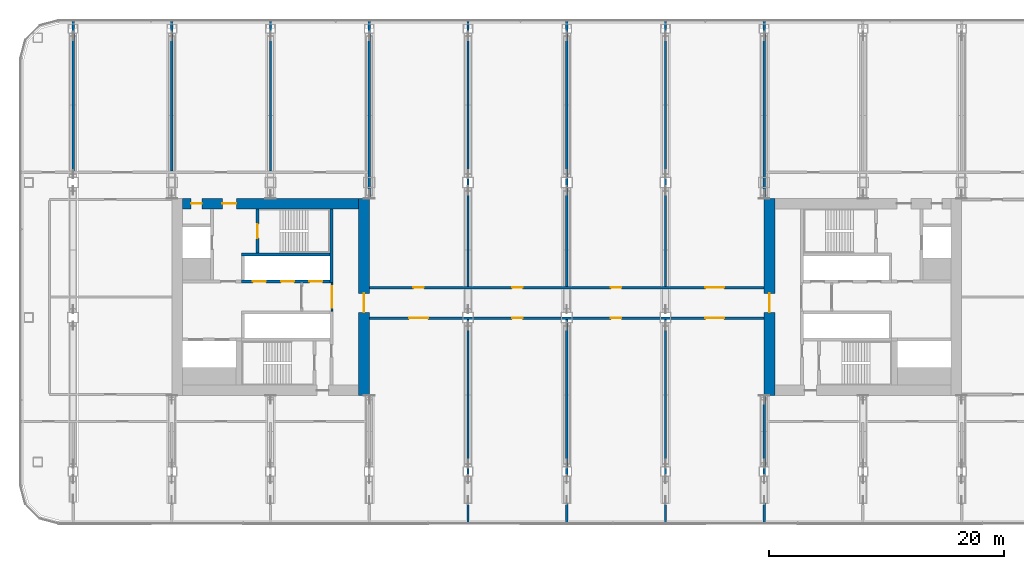
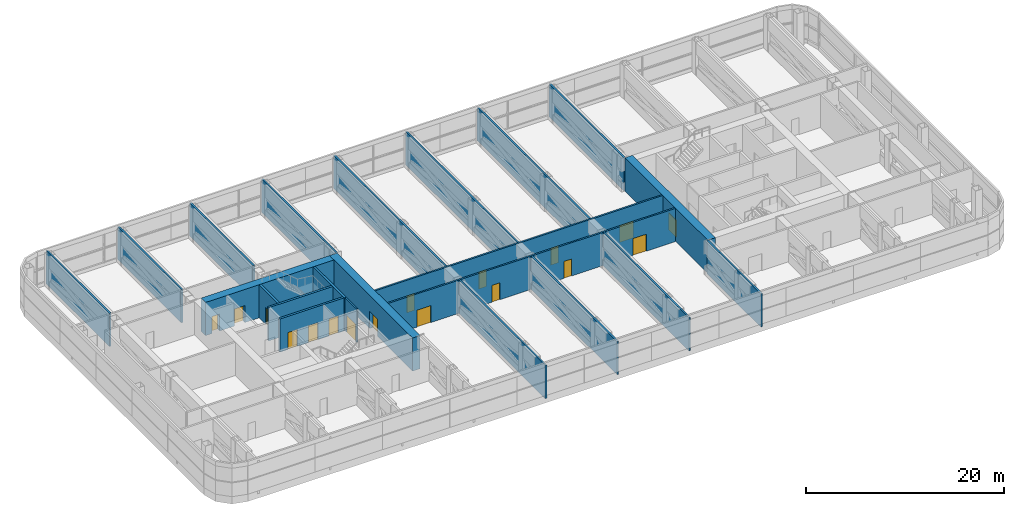
# One storey, part 19 of 31: 22 walls, 17 doors, 17 openings.
"""IFC4 building model written with IfcOpenShell, lengths in metres."""

import ifcopenshell
import ifcopenshell.guid

model = None  # the IFC model being written
_history = None  # IfcOwnerHistory: only IFC2X3 demands one
_inside = {}  # id of a spatial element -> (the spatial element, [elements in it])
_under = {}  # id of a project, library or spatial element -> (it, [spatial elements below it])
_declared = {}  # id of a project -> (the project, [libraries it declares])
_typed = {}  # id of a type object -> (the type object, [elements of that type])
_made_of = {}  # id of a material, layer set ... -> (it, [elements and type objects made of it])


def new_model(schema):
    """Start an empty IFC model of exactly this schema.

    Asked for "IFC4X3", IfcOpenShell would pick the latest addendum, in which some entities
    have other attributes; the version numbers below select the first issue.
    IFC2X3 requires an IfcOwnerHistory on every rooted entity: one is made here for all.
    """
    global model, _history
    if schema == "IFC4X3":
        model = ifcopenshell.file(schema_version=(4, 3, 0, 0))
    else:
        model = ifcopenshell.file(schema=schema)
    _inside.clear()
    _under.clear()
    _declared.clear()
    _typed.clear()
    _made_of.clear()
    _history = None
    if model.schema == "IFC2X3":
        org = make("IfcOrganization", Name="unknown")
        user = make(
            "IfcPersonAndOrganization",
            ThePerson=make("IfcPerson", FamilyName="unknown"),
            TheOrganization=org,
        )
        app = make(
            "IfcApplication",
            ApplicationDeveloper=org,
            Version="unknown",
            ApplicationFullName="unknown",
            ApplicationIdentifier="unknown",
        )
        _history = make(
            "IfcOwnerHistory",
            OwningUser=user,
            OwningApplication=app,
            ChangeAction="ADDED",
            CreationDate=0,
        )
    return model


def make(cls, **values):
    """One entity of the class cls with the attributes given. An attribute that is None is left unset."""
    return model.create_entity(
        cls, **{name: value for name, value in values.items() if value is not None}
    )


def rooted(cls, **values):
    """An entity with a GlobalId (a new one), such as an element, a storey or a relation."""
    return make(cls, GlobalId=ifcopenshell.guid.new(), OwnerHistory=_history, **values)


def si_unit(unit_type, name, prefix=None):
    """IfcSIUnit, for example si_unit("LENGTHUNIT", "METRE", prefix="MILLI")."""
    return make("IfcSIUnit", UnitType=unit_type, Prefix=prefix, Name=name)


def assignment(units):
    """IfcUnitAssignment: the units of a project."""
    return None if units is None else make("IfcUnitAssignment", Units=units)


def point(xyz):
    """IfcCartesianPoint."""
    return None if xyz is None else make("IfcCartesianPoint", Coordinates=xyz)


def direction(xyz):
    """IfcDirection."""
    return None if xyz is None else make("IfcDirection", DirectionRatios=xyz)


def frame(location, z_axis=None, x_axis=None):
    """IfcAxis2Placement3D, a coordinate frame: its origin and axes. An axis left out is left unset."""
    return make(
        "IfcAxis2Placement3D",
        Location=point(location),
        Axis=direction(z_axis),
        RefDirection=direction(x_axis),
    )


def frame_2d(location, x_axis=None):
    """IfcAxis2Placement2D, a coordinate frame in the plane: its origin and x axis."""
    return make(
        "IfcAxis2Placement2D", Location=point(location), RefDirection=direction(x_axis)
    )


def origin():
    """The frame at (0, 0, 0) with its axes left unset."""
    return frame((0.0, 0.0, 0.0))


def place(relative_to, where):
    """IfcLocalPlacement: puts the frame where relative to a parent placement (None: the world)."""
    return make(
        "IfcLocalPlacement", PlacementRelTo=relative_to, RelativePlacement=where
    )


def context(
    kind, dimensions, precision=None, world=None, true_north=None, identifier=None
):
    """IfcGeometricRepresentationContext, for example the 3D "Model" context."""
    return make(
        "IfcGeometricRepresentationContext",
        ContextIdentifier=identifier,
        ContextType=kind,
        CoordinateSpaceDimension=dimensions,
        Precision=precision,
        WorldCoordinateSystem=world,
        TrueNorth=true_north,
    )


def subcontext(parent, identifier, kind, view, scale=None):
    """IfcGeometricRepresentationSubContext, for example "Body" below "Model"."""
    return make(
        "IfcGeometricRepresentationSubContext",
        ContextIdentifier=identifier,
        ContextType=kind,
        ParentContext=parent,
        TargetScale=scale,
        TargetView=view,
    )


def project(units=None, contexts=None):
    """IfcProject with its units and contexts."""
    return rooted(
        "IfcProject",
        Name="project",
        RepresentationContexts=contexts,
        UnitsInContext=assignment(units),
    )


def spatial(cls, under=None, at=None, **own):
    """A site, building, storey or space (cls), placed at a placement, below another one or the project."""
    s = rooted(cls, ObjectPlacement=at, **own)
    if under is not None:
        _under.setdefault(under.id(), (under, []))[1].append(s)
    return s


def profile(cls, at=None, kind="AREA", **sizes):
    """A parametric profile (cls). Its sizes go by their IFC names, for example OverallWidth=200.0."""
    return make(cls, ProfileType=kind, Position=at, **sizes)


def rectangle(**sizes):
    """IfcRectangleProfileDef."""
    return profile("IfcRectangleProfileDef", **sizes)


def extrude(swept, where, along, depth):
    """IfcExtrudedAreaSolid: the profile swept, set in the frame where, extruded along a direction by depth."""
    return make(
        "IfcExtrudedAreaSolid",
        SweptArea=swept,
        Position=where,
        ExtrudedDirection=direction(along),
        Depth=depth,
    )


def shape(context_of_items, identifier, shape_type, items):
    """IfcShapeRepresentation: the items that make up one representation, for example the "Body"."""
    return make(
        "IfcShapeRepresentation",
        ContextOfItems=context_of_items,
        RepresentationIdentifier=identifier,
        RepresentationType=shape_type,
        Items=items,
    )


def material(Name=None, Category=None):
    """IfcMaterial."""
    return make("IfcMaterial", Name=Name, Category=Category)


def layer(
    of_material, thickness, ventilated=None, Name=None, Category=None, Priority=None
):
    """IfcMaterialLayer: one layer of a wall or slab, of a material (None: an air gap)."""
    return make(
        "IfcMaterialLayer",
        Material=of_material,
        LayerThickness=thickness,
        IsVentilated=ventilated,
        Name=Name,
        Category=Category,
        Priority=Priority,
    )


def layer_set(layers, Name=None):
    """IfcMaterialLayerSet."""
    return make("IfcMaterialLayerSet", MaterialLayers=layers, LayerSetName=Name)


def made_of(thing, what):
    """Note that an element or type object is made of a material, layer set ...; save() writes the relation."""
    if what is not None:
        _made_of.setdefault(what.id(), (what, []))[1].append(thing)
    return thing


def type_object(cls, material=None, **own):
    """A type object (cls), such as IfcWallType, which elements share."""
    return made_of(rooted(cls, **own), material)


def element(
    cls,
    number,
    at=None,
    inside=None,
    cuts=None,
    type_object=None,
    material=None,
    context=None,
    identifier="Body",
    shape_type=None,
    held_by="IfcProductDefinitionShape",
    body=None,
    shapes=None,
    **own,
):
    """One element of the class cls, such as IfcWall. Its Tag is "e" and its number.

    at: its placement. inside: the storey or other place that contains it. cuts: it is an
    opening in that element (IfcRelVoidsElement). A single representation is given by context,
    identifier, shape_type and body (its items); several are given by shapes. held_by: the class
    of the entity that holds the representations. save() writes the other relations.
    """
    e = rooted(cls, Tag="e%d" % number, ObjectPlacement=at, **own)
    if body is not None:
        shapes = [shape(context, identifier, shape_type, body)]
    if shapes is not None:
        e.Representation = make(held_by, Representations=shapes)
    if inside is not None:
        _inside.setdefault(inside.id(), (inside, []))[1].append(e)
    if cuts is not None:
        rooted(
            "IfcRelVoidsElement", RelatingBuildingElement=cuts, RelatedOpeningElement=e
        )
    if type_object is not None:
        _typed.setdefault(type_object.id(), (type_object, []))[1].append(e)
    return made_of(e, material)


def fill(opening, filler):
    """IfcRelFillsElement: the door or window that sits in an opening."""
    return rooted(
        "IfcRelFillsElement",
        RelatingOpeningElement=opening,
        RelatedBuildingElement=filler,
    )


def aggregate(whole, parts):
    """IfcRelAggregates: a whole, such as a stair, and the parts it consists of."""
    return rooted("IfcRelAggregates", RelatingObject=whole, RelatedObjects=parts)


def save(model, path):
    """Write the relations noted so far, then the file.

    IfcRelAggregates (storeys below a building ...), IfcRelContainedInSpatialStructure (elements
    in a storey), IfcRelDefinesByType, IfcRelAssociatesMaterial and IfcRelDeclares: one each for
    every whole, place, type object, material and project.
    """
    for whole, parts in _under.values():
        aggregate(whole, parts)
    for where, things in _inside.values():
        rooted(
            "IfcRelContainedInSpatialStructure",
            RelatedElements=things,
            RelatingStructure=where,
        )
    for kind, things in _typed.values():
        rooted("IfcRelDefinesByType", RelatedObjects=things, RelatingType=kind)
    for what, things in _made_of.values():
        rooted("IfcRelAssociatesMaterial", RelatedObjects=things, RelatingMaterial=what)
    for by, libraries in _declared.values():
        rooted("IfcRelDeclares", RelatingContext=by, RelatedDefinitions=libraries)
    model.write(path)


model = new_model("IFC4")

# Units and contexts
model_context = context("Model", 3, precision=1e-05, world=origin(), true_north=direction((0.0, 1.0)))
body_context = subcontext(model_context, "Body", "Model", "MODEL_VIEW")
ifc_project = project(units=[si_unit("LENGTHUNIT", "METRE"), si_unit("AREAUNIT", "SQUARE_METRE"), si_unit("VOLUMEUNIT", "CUBIC_METRE"), si_unit("PLANEANGLEUNIT", "RADIAN"), si_unit("MASSUNIT", "GRAM", prefix="KILO")], contexts=[model_context])

# Site, building, storey
site_placement = place(None, origin())
site = spatial("IfcSite", under=ifc_project, at=site_placement, CompositionType="ELEMENT")
building_placement = place(site_placement, origin())
building = spatial("IfcBuilding", under=site, at=building_placement, Name="Hakoniwa Tower and Hamabe Station Hall", CompositionType="ELEMENT")
storey_placement = place(building_placement, frame((0.0, 0.0, 120.199951171875)))
storey = spatial("IfcBuildingStorey", under=building, at=storey_placement, Name="L34", CompositionType="ELEMENT", Elevation=120.199951171875)

# Wall, opening, door
ifc_material_1 = material(Name="Gypsum board partition")
ifc_layer_1 = layer(ifc_material_1, 0.14990234375)
ifc_layer_set_1 = layer_set([ifc_layer_1], Name="CORE PARTITION 150 EI 60")
wall_type_1 = type_object("IfcWallType", Name="CORE PARTITION 150 EI 60", PredefinedType="PARTITIONING", material=ifc_layer_set_1)
wall_1_placement = place(storey_placement, frame((-19.97509765625, -1.199951171875, 0.0), z_axis=(0.0, 0.0, 1.0), x_axis=(0.0, 1.0, 0.0)))
wall_1 = element("IfcWall", 1, at=wall_1_placement, inside=storey, type_object=wall_type_1, Name="Core partition PL0 west", PredefinedType="PARTITIONING", context=body_context, shape_type="SweptSolid", body=[
    extrude(rectangle(XDim=2.39990234375, YDim=0.14990234375, at=frame_2d((1.199951171875, 0.0))), origin(), (0.0, 0.0, 1.0), 4.10009765625),
])
opening_1_placement = place(wall_1_placement, frame((0.300048828125, 0.0, 0.0)))
opening_1 = element("IfcOpeningElement", 2, at=opening_1_placement, cuts=wall_1, Name="Opening CD-W-LP0-18", PredefinedType="OPENING", context=body_context, shape_type="SweptSolid", body=[
    extrude(rectangle(XDim=1.800048828125, YDim=2.10009765625, at=frame_2d((0.89990234375, 1.050048828125))), frame((0.0, 0.0849609375, 0.0), z_axis=(0.0, -1.0, 0.0), x_axis=(1.0, 0.0, 0.0)), (0.0, 0.0, 1.0), 0.169921875),
])
ifc_material_2 = material(Name="Steel fire door", Category="steel")
door_type_1 = type_object("IfcDoorType", Name="CORE DOOR 1800 FD60", OperationType="DOUBLE_DOOR_SINGLE_SWING", PredefinedType="DOOR", material=ifc_material_2)
door_1_placement = place(opening_1_placement, origin())
door_1 = element("IfcDoor", 3, at=door_1_placement, inside=storey, type_object=door_type_1, Name="Lift lobby partition door", OperationType="DOUBLE_DOOR_SINGLE_SWING", OverallHeight=2.10009765625, OverallWidth=1.800048828125, PredefinedType="DOOR", context=body_context, shape_type="SweptSolid", body=[
    extrude(rectangle(XDim=1.800048828125, YDim=2.10009765625, at=frame_2d((0.89990234375, 1.050048828125))), frame((0.0, 0.02490234375, 0.0), z_axis=(0.0, -1.0, 0.0), x_axis=(1.0, 0.0, 0.0)), (0.0, 0.0, 1.0), 0.050048828125),
])
fill(opening_1, door_1)

ifc_material_3 = material(Name="Concrete C72", Category="concrete")
ifc_layer_2 = layer(ifc_material_3, 0.89990234375)
ifc_layer_set_2 = layer_set([ifc_layer_2], Name="CORE WALL 900 C72")
wall_type_2 = type_object("IfcWallType", Name="CORE WALL 900 C72", PredefinedType="SHEAR", material=ifc_layer_set_2)
wall_2_placement = place(storey_placement, frame((-17.25, -8.39990234375, 0.0), z_axis=(0.0, 0.0, 1.0), x_axis=(0.0, 1.0, 0.0)))
wall_2 = element("IfcWall", 4, at=wall_2_placement, inside=storey, type_object=wall_type_2, Name="Core wall INNER west", PredefinedType="SHEAR", context=body_context, shape_type="SweptSolid", body=[
    extrude(rectangle(XDim=16.7998046875, YDim=0.89990234375, at=frame_2d((8.39990234375, 0.0))), origin(), (0.0, 0.0, 1.0), 4.10009765625),
])
opening_2_placement = place(wall_2_placement, frame((7.10009765625, 0.0, 0.0)))
opening_2 = element("IfcOpeningElement", 5, at=opening_2_placement, cuts=wall_2, Name="Opening CD-W-IN1-16", PredefinedType="OPENING", context=body_context, shape_type="SweptSolid", body=[
    extrude(rectangle(XDim=1.60009765625, YDim=2.10009765625, at=frame_2d((0.800048828125, 1.050048828125))), frame((0.0, 0.4599609375, 0.0), z_axis=(0.0, -1.0, 0.0), x_axis=(1.0, 0.0, 0.0)), (0.0, 0.0, 1.0), 0.919921875),
])
ifc_material_4 = material(Name="Steel fire door", Category="steel")
door_type_2 = type_object("IfcDoorType", Name="CORE DOOR 1600 FD60", OperationType="DOUBLE_DOOR_SINGLE_SWING", PredefinedType="DOOR", material=ifc_material_4)
door_2_placement = place(opening_2_placement, origin())
door_2 = element("IfcDoor", 6, at=door_2_placement, inside=storey, type_object=door_type_2, Name="Lift lobby door", OperationType="DOUBLE_DOOR_SINGLE_SWING", OverallHeight=2.10009765625, OverallWidth=1.60009765625, PredefinedType="DOOR", context=body_context, shape_type="SweptSolid", body=[
    extrude(rectangle(XDim=1.60009765625, YDim=2.10009765625, at=frame_2d((0.800048828125, 1.050048828125))), frame((0.0, 0.02490234375, 0.0), z_axis=(0.0, -1.0, 0.0), x_axis=(1.0, 0.0, 0.0)), (0.0, 0.0, 1.0), 0.050048828125),
])
fill(opening_2, door_2)

# Wall, openings, doors
wall_3_placement = place(storey_placement, frame((-32.699951171875, 7.949951171875, 0.0), z_axis=(0.0, 0.0, 1.0), x_axis=(1.0, 0.0, 0.0)))
wall_3 = element("IfcWall", 7, at=wall_3_placement, inside=storey, type_object=wall_type_2, Name="Core wall NORTH west", PredefinedType="SHEAR", context=body_context, shape_type="SweptSolid", body=[
    extrude(rectangle(XDim=15.0, YDim=0.89990234375, at=frame_2d((7.5, 0.0))), origin(), (0.0, 0.0, 1.0), 4.10009765625),
])
opening_3_placement = place(wall_3_placement, frame((3.39990234375, 0.0, 0.0)))
opening_3 = element("IfcOpeningElement", 8, at=opening_3_placement, cuts=wall_3, Name="Opening CD-W-FN1-12", PredefinedType="OPENING", context=body_context, shape_type="SweptSolid", body=[
    extrude(rectangle(XDim=1.199951171875, YDim=2.10009765625, at=frame_2d((0.60009765625, 1.050048828125))), frame((0.0, 0.4599609375, 0.0), z_axis=(0.0, -1.0, 0.0), x_axis=(1.0, 0.0, 0.0)), (0.0, 0.0, 1.0), 0.919921875),
])
opening_4_placement = place(wall_3_placement, frame((0.75, 0.0, 0.0)))
opening_4 = element("IfcOpeningElement", 9, at=opening_4_placement, cuts=wall_3, Name="Opening CD-W-FN2-9", PredefinedType="OPENING", context=body_context, shape_type="SweptSolid", body=[
    extrude(rectangle(XDim=0.89990234375, YDim=2.10009765625, at=frame_2d((0.449951171875, 1.050048828125))), frame((0.0, 0.4599609375, 0.0), z_axis=(0.0, -1.0, 0.0), x_axis=(1.0, 0.0, 0.0)), (0.0, 0.0, 1.0), 0.919921875),
])
ifc_material_5 = material(Name="Steel fire door", Category="steel")
door_type_3 = type_object("IfcDoorType", Name="CORE DOOR 1200 FD60", OperationType="DOUBLE_DOOR_SINGLE_SWING", PredefinedType="DOOR", material=ifc_material_5)
door_3_placement = place(opening_3_placement, origin())
door_3 = element("IfcDoor", 10, at=door_3_placement, inside=storey, type_object=door_type_3, Name="Stair vestibule door to the fire-fighting lobby", OperationType="DOUBLE_DOOR_SINGLE_SWING", OverallHeight=2.10009765625, OverallWidth=1.199951171875, PredefinedType="DOOR", context=body_context, shape_type="SweptSolid", body=[
    extrude(rectangle(XDim=1.199951171875, YDim=2.10009765625, at=frame_2d((0.60009765625, 1.050048828125))), frame((0.0, 0.02490234375, 0.0), z_axis=(0.0, -1.0, 0.0), x_axis=(1.0, 0.0, 0.0)), (0.0, 0.0, 1.0), 0.050048828125),
])
fill(opening_3, door_3)
ifc_material_6 = material(Name="Steel fire door", Category="steel")
door_type_4 = type_object("IfcDoorType", Name="CORE DOOR 900 FD30", OperationType="NOTDEFINED", PredefinedType="DOOR", material=ifc_material_6)
door_4_placement = place(opening_4_placement, origin())
door_4 = element("IfcDoor", 11, at=door_4_placement, inside=storey, type_object=door_type_4, Name="Riser access door", OperationType="SINGLE_SWING_RIGHT", OverallHeight=2.10009765625, OverallWidth=0.89990234375, PredefinedType="DOOR", context=body_context, shape_type="SweptSolid", body=[
    extrude(rectangle(XDim=0.89990234375, YDim=2.10009765625, at=frame_2d((0.449951171875, 1.050048828125))), frame((0.0, 0.02490234375, 0.0), z_axis=(0.0, -1.0, 0.0), x_axis=(1.0, 0.0, 0.0)), (0.0, 0.0, 1.0), 0.050048828125),
])
fill(opening_4, door_4)

# Wall, opening, door
wall_4_placement = place(storey_placement, frame((17.25, -8.39990234375, 0.0), z_axis=(0.0, 0.0, 1.0), x_axis=(0.0, 1.0, 0.0)))
wall_4 = element("IfcWall", 12, at=wall_4_placement, inside=storey, type_object=wall_type_2, Name="Core wall INNER east", PredefinedType="SHEAR", context=body_context, shape_type="SweptSolid", body=[
    extrude(rectangle(XDim=16.7998046875, YDim=0.89990234375, at=frame_2d((8.39990234375, 0.0))), origin(), (0.0, 0.0, 1.0), 4.10009765625),
])
opening_5_placement = place(wall_4_placement, frame((7.10009765625, 0.0, 0.0)))
opening_5 = element("IfcOpeningElement", 13, at=opening_5_placement, cuts=wall_4, Name="Opening CD-E-IN1-16", PredefinedType="OPENING", context=body_context, shape_type="SweptSolid", body=[
    extrude(rectangle(XDim=1.60009765625, YDim=2.10009765625, at=frame_2d((0.800048828125, 1.050048828125))), frame((0.0, 0.4599609375, 0.0), z_axis=(0.0, -1.0, 0.0), x_axis=(1.0, 0.0, 0.0)), (0.0, 0.0, 1.0), 0.919921875),
])
door_5_placement = place(opening_5_placement, origin())
door_5 = element("IfcDoor", 14, at=door_5_placement, inside=storey, type_object=door_type_2, Name="Lift lobby door", OperationType="DOUBLE_DOOR_SINGLE_SWING", OverallHeight=2.10009765625, OverallWidth=1.60009765625, PredefinedType="DOOR", context=body_context, shape_type="SweptSolid", body=[
    extrude(rectangle(XDim=1.60009765625, YDim=2.10009765625, at=frame_2d((0.800048828125, 1.050048828125))), frame((0.0, 0.02490234375, 0.0), z_axis=(0.0, -1.0, 0.0), x_axis=(1.0, 0.0, 0.0)), (0.0, 0.0, 1.0), 0.050048828125),
])
fill(opening_5, door_5)

# Wall
ifc_material_7 = material(Name="Concrete C72", Category="concrete")
ifc_layer_3 = layer(ifc_material_7, 0.25)
ifc_layer_set_3 = layer_set([ifc_layer_3], Name="CORE WEB WALL 250 C72")
wall_type_3 = type_object("IfcWallType", Name="CORE WEB WALL 250 C72", PredefinedType="SHEAR", material=ifc_layer_set_3)
wall_5_placement = place(storey_placement, frame((-20.02490234375, 1.199951171875, 0.0), z_axis=(0.0, 0.0, 1.0), x_axis=(0.0, 1.0, 0.0)))
element("IfcWall", 15, at=wall_5_placement, inside=storey, type_object=wall_type_3, Name="Core wall W1N west", PredefinedType="SHEAR", context=body_context, shape_type="SweptSolid", body=[
    extrude(rectangle(XDim=6.300048828125, YDim=0.25, at=frame_2d((3.14990234375, 0.0))), origin(), (0.0, 0.0, 1.0), 4.10009765625),
])

# Wall, openings, doors
wall_6_placement = place(storey_placement, frame((-27.64990234375, 1.324951171875, 0.0), z_axis=(0.0, 0.0, 1.0), x_axis=(1.0, 0.0, 0.0)))
wall_6 = element("IfcWall", 16, at=wall_6_placement, inside=storey, type_object=wall_type_3, Name="Core wall NF west", PredefinedType="SHEAR", context=body_context, shape_type="SweptSolid", body=[
    extrude(rectangle(XDim=7.5, YDim=0.25, at=frame_2d((3.75, 0.0))), origin(), (0.0, 0.0, 1.0), 4.10009765625),
])
opening_6_placement = place(wall_6_placement, frame((5.75, 0.0, 0.0)))
opening_6 = element("IfcOpeningElement", 17, at=opening_6_placement, cuts=wall_6, Name="Opening LD-LR1", PredefinedType="OPENING", context=body_context, shape_type="SweptSolid", body=[
    extrude(rectangle(XDim=1.10009765625, YDim=2.10009765625, at=frame_2d((0.550048828125, 1.050048828125))), frame((0.0, 0.135009765625, 0.0), z_axis=(0.0, -1.0, 0.0), x_axis=(1.0, 0.0, 0.0)), (0.0, 0.0, 1.0), 0.27001953125),
])
opening_7_placement = place(wall_6_placement, frame((3.35009765625, 0.0, 0.0)))
opening_7 = element("IfcOpeningElement", 18, at=opening_7_placement, cuts=wall_6, Name="Opening LD-LR2", PredefinedType="OPENING", context=body_context, shape_type="SweptSolid", body=[
    extrude(rectangle(XDim=1.10009765625, YDim=2.10009765625, at=frame_2d((0.550048828125, 1.050048828125))), frame((0.0, 0.135009765625, 0.0), z_axis=(0.0, -1.0, 0.0), x_axis=(1.0, 0.0, 0.0)), (0.0, 0.0, 1.0), 0.27001953125),
])
opening_8_placement = place(wall_6_placement, frame((0.949951171875, 0.0, 0.0)))
opening_8 = element("IfcOpeningElement", 19, at=opening_8_placement, cuts=wall_6, Name="Opening LD-LR3", PredefinedType="OPENING", context=body_context, shape_type="SweptSolid", body=[
    extrude(rectangle(XDim=1.10009765625, YDim=2.10009765625, at=frame_2d((0.550048828125, 1.050048828125))), frame((0.0, 0.135009765625, 0.0), z_axis=(0.0, -1.0, 0.0), x_axis=(1.0, 0.0, 0.0)), (0.0, 0.0, 1.0), 0.27001953125),
])
ifc_material_8 = material(Name="Stainless steel SUS304", Category="steel")
door_type_5 = type_object("IfcDoorType", Name="LIFT LANDING DOOR 1100 FD60", OperationType="DOUBLE_DOOR_SLIDING", PredefinedType="DOOR", material=ifc_material_8)
door_6_placement = place(opening_6_placement, origin())
door_6 = element("IfcDoor", 20, at=door_6_placement, inside=storey, type_object=door_type_5, Name="Lift landing door LR1 L34", OperationType="DOUBLE_DOOR_SLIDING", OverallHeight=2.10009765625, OverallWidth=1.10009765625, PredefinedType="DOOR", context=body_context, shape_type="SweptSolid", body=[
    extrude(rectangle(XDim=1.10009765625, YDim=2.10009765625, at=frame_2d((0.550048828125, 1.050048828125))), frame((0.0, 0.02490234375, 0.0), z_axis=(0.0, -1.0, 0.0), x_axis=(1.0, 0.0, 0.0)), (0.0, 0.0, 1.0), 0.050048828125),
])
fill(opening_6, door_6)
door_7_placement = place(opening_7_placement, origin())
door_7 = element("IfcDoor", 21, at=door_7_placement, inside=storey, type_object=door_type_5, Name="Lift landing door LR2 L34", OperationType="DOUBLE_DOOR_SLIDING", OverallHeight=2.10009765625, OverallWidth=1.10009765625, PredefinedType="DOOR", context=body_context, shape_type="SweptSolid", body=[
    extrude(rectangle(XDim=1.10009765625, YDim=2.10009765625, at=frame_2d((0.550048828125, 1.050048828125))), frame((0.0, 0.02490234375, 0.0), z_axis=(0.0, -1.0, 0.0), x_axis=(1.0, 0.0, 0.0)), (0.0, 0.0, 1.0), 0.050048828125),
])
fill(opening_7, door_7)
door_8_placement = place(opening_8_placement, origin())
door_8 = element("IfcDoor", 22, at=door_8_placement, inside=storey, type_object=door_type_5, Name="Lift landing door LR3 L34", OperationType="DOUBLE_DOOR_SLIDING", OverallHeight=2.10009765625, OverallWidth=1.10009765625, PredefinedType="DOOR", context=body_context, shape_type="SweptSolid", body=[
    extrude(rectangle(XDim=1.10009765625, YDim=2.10009765625, at=frame_2d((0.550048828125, 1.050048828125))), frame((0.0, 0.02490234375, 0.0), z_axis=(0.0, -1.0, 0.0), x_axis=(1.0, 0.0, 0.0)), (0.0, 0.0, 1.0), 0.050048828125),
])
fill(opening_8, door_8)

# Wall
wall_7_placement = place(storey_placement, frame((-27.64990234375, 3.625, 0.0), z_axis=(0.0, 0.0, 1.0), x_axis=(1.0, 0.0, 0.0)))
element("IfcWall", 23, at=wall_7_placement, inside=storey, type_object=wall_type_3, Name="Core wall NR west", PredefinedType="SHEAR", context=body_context, shape_type="SweptSolid", body=[
    extrude(rectangle(XDim=7.5, YDim=0.25, at=frame_2d((3.75, 0.0))), origin(), (0.0, 0.0, 1.0), 4.10009765625),
])

# Wall, opening, door
wall_8_placement = place(storey_placement, frame((-26.324951171875, 3.75, 0.0), z_axis=(0.0, 0.0, 1.0), x_axis=(0.0, 1.0, 0.0)))
wall_8 = element("IfcWall", 24, at=wall_8_placement, inside=storey, type_object=wall_type_3, Name="Core wall NSE west", PredefinedType="SHEAR", context=body_context, shape_type="SweptSolid", body=[
    extrude(rectangle(XDim=3.75, YDim=0.25, at=frame_2d((1.875, 0.0))), origin(), (0.0, 0.0, 1.0), 4.10009765625),
])
opening_9_placement = place(wall_8_placement, frame((1.25, 0.0, 0.0)))
opening_9 = element("IfcOpeningElement", 25, at=opening_9_placement, cuts=wall_8, Name="Opening CD-W-SN-12", PredefinedType="OPENING", context=body_context, shape_type="SweptSolid", body=[
    extrude(rectangle(XDim=1.199951171875, YDim=2.10009765625, at=frame_2d((0.60009765625, 1.050048828125))), frame((0.0, 0.135009765625, 0.0), z_axis=(0.0, -1.0, 0.0), x_axis=(1.0, 0.0, 0.0)), (0.0, 0.0, 1.0), 0.27001953125),
])
door_9_placement = place(opening_9_placement, origin())
door_9 = element("IfcDoor", 26, at=door_9_placement, inside=storey, type_object=door_type_3, Name="Escape stair door", OperationType="DOUBLE_DOOR_SINGLE_SWING", OverallHeight=2.10009765625, OverallWidth=1.199951171875, PredefinedType="DOOR", context=body_context, shape_type="SweptSolid", body=[
    extrude(rectangle(XDim=1.199951171875, YDim=2.10009765625, at=frame_2d((0.60009765625, 1.050048828125))), frame((0.0, 0.02490234375, 0.0), z_axis=(0.0, -1.0, 0.0), x_axis=(1.0, 0.0, 0.0)), (0.0, 0.0, 1.0), 0.050048828125),
])
fill(opening_9, door_9)

# Wall, openings, doors
ifc_material_9 = material(Name="Fire-rated gypsum board partition", Category="gypsum")
ifc_layer_4 = layer(ifc_material_9, 0.199951171875)
ifc_layer_set_4 = layer_set([ifc_layer_4], Name="Corridor Wall 200")
wall_type_4 = type_object("IfcWallType", Name="Corridor Wall 200", PredefinedType="PARTITIONING", material=ifc_layer_set_4)
wall_9_placement = place(storey_placement, frame((-16.800048828125, -1.800048828125, 0.0), z_axis=(0.0, 0.0, 1.0), x_axis=(1.0, 0.0, 0.0)))
wall_9 = element("IfcWall", 27, at=wall_9_placement, inside=storey, type_object=wall_type_4, Name="GW-L34-005", PredefinedType="PARTITIONING", context=body_context, shape_type="SweptSolid", body=[
    extrude(rectangle(XDim=33.60009765625, YDim=0.199951171875, at=frame_2d((16.800048828125, 0.0))), origin(), (0.0, 0.0, 1.0), 4.10009765625),
])
opening_10_placement = place(wall_9_placement, frame((3.39990234375, 0.0, 0.0)))
opening_10 = element("IfcOpeningElement", 28, at=opening_10_placement, cuts=wall_9, Name="Opening GD-SL34-11", PredefinedType="OPENING", context=body_context, shape_type="SweptSolid", body=[
    extrude(rectangle(XDim=1.60009765625, YDim=2.10009765625, at=frame_2d((0.800048828125, 1.050048828125))), frame((0.0, 0.10986328125, 0.0), z_axis=(0.0, -1.0, 0.0), x_axis=(1.0, 0.0, 0.0)), (0.0, 0.0, 1.0), 0.219970703125),
])
opening_11_placement = place(wall_9_placement, frame((12.14990234375, 0.0, 0.0)))
opening_11 = element("IfcOpeningElement", 29, at=opening_11_placement, cuts=wall_9, Name="Opening GD-SL34-12", PredefinedType="OPENING", context=body_context, shape_type="SweptSolid", body=[
    extrude(rectangle(XDim=0.89990234375, YDim=2.10009765625, at=frame_2d((0.449951171875, 1.050048828125))), frame((0.0, 0.10986328125, 0.0), z_axis=(0.0, -1.0, 0.0), x_axis=(1.0, 0.0, 0.0)), (0.0, 0.0, 1.0), 0.219970703125),
])
opening_12_placement = place(wall_9_placement, frame((20.550048828125, 0.0, 0.0)))
opening_12 = element("IfcOpeningElement", 30, at=opening_12_placement, cuts=wall_9, Name="Opening GD-SL34-13", PredefinedType="OPENING", context=body_context, shape_type="SweptSolid", body=[
    extrude(rectangle(XDim=0.89990234375, YDim=2.10009765625, at=frame_2d((0.449951171875, 1.050048828125))), frame((0.0, 0.10986328125, 0.0), z_axis=(0.0, -1.0, 0.0), x_axis=(1.0, 0.0, 0.0)), (0.0, 0.0, 1.0), 0.219970703125),
])
opening_13_placement = place(wall_9_placement, frame((28.60009765625, 0.0, 0.0)))
opening_13 = element("IfcOpeningElement", 31, at=opening_13_placement, cuts=wall_9, Name="Opening GD-SL34-14", PredefinedType="OPENING", context=body_context, shape_type="SweptSolid", body=[
    extrude(rectangle(XDim=1.60009765625, YDim=2.10009765625, at=frame_2d((0.800048828125, 1.050048828125))), frame((0.0, 0.10986328125, 0.0), z_axis=(0.0, -1.0, 0.0), x_axis=(1.0, 0.0, 0.0)), (0.0, 0.0, 1.0), 0.219970703125),
])
ifc_material_10 = material(Name="Timber door leaf", Category="wood")
door_type_6 = type_object("IfcDoorType", Name="Double Door 1600", OperationType="DOUBLE_DOOR_SINGLE_SWING", PredefinedType="DOOR", material=ifc_material_10)
door_10_placement = place(opening_10_placement, origin())
door_10 = element("IfcDoor", 32, at=door_10_placement, inside=storey, type_object=door_type_6, Name="Door GD-SL34-11", OperationType="DOUBLE_DOOR_SINGLE_SWING", OverallHeight=2.10009765625, OverallWidth=1.60009765625, PredefinedType="DOOR", context=body_context, shape_type="SweptSolid", body=[
    extrude(rectangle(XDim=1.60009765625, YDim=2.10009765625, at=frame_2d((0.800048828125, 1.050048828125))), frame((0.0, 0.02490234375, 0.0), z_axis=(0.0, -1.0, 0.0), x_axis=(1.0, 0.0, 0.0)), (0.0, 0.0, 1.0), 0.050048828125),
])
fill(opening_10, door_10)
door_11_placement = place(opening_13_placement, origin())
door_11 = element("IfcDoor", 33, at=door_11_placement, inside=storey, type_object=door_type_6, Name="Door GD-SL34-14", OperationType="DOUBLE_DOOR_SINGLE_SWING", OverallHeight=2.10009765625, OverallWidth=1.60009765625, PredefinedType="DOOR", context=body_context, shape_type="SweptSolid", body=[
    extrude(rectangle(XDim=1.60009765625, YDim=2.10009765625, at=frame_2d((0.800048828125, 1.050048828125))), frame((0.0, 0.02490234375, 0.0), z_axis=(0.0, -1.0, 0.0), x_axis=(1.0, 0.0, 0.0)), (0.0, 0.0, 1.0), 0.050048828125),
])
fill(opening_13, door_11)
ifc_material_11 = material(Name="Timber door leaf", Category="wood")
door_type_7 = type_object("IfcDoorType", Name="Service Door 900", OperationType="SINGLE_SWING_LEFT", PredefinedType="DOOR", material=ifc_material_11)
door_12_placement = place(opening_11_placement, origin())
door_12 = element("IfcDoor", 34, at=door_12_placement, inside=storey, type_object=door_type_7, Name="Door GD-SL34-12", OperationType="SINGLE_SWING_LEFT", OverallHeight=2.10009765625, OverallWidth=0.89990234375, PredefinedType="DOOR", context=body_context, shape_type="SweptSolid", body=[
    extrude(rectangle(XDim=0.89990234375, YDim=2.10009765625, at=frame_2d((0.449951171875, 1.050048828125))), frame((0.0, 0.02490234375, 0.0), z_axis=(0.0, -1.0, 0.0), x_axis=(1.0, 0.0, 0.0)), (0.0, 0.0, 1.0), 0.050048828125),
])
fill(opening_11, door_12)
door_13_placement = place(opening_12_placement, origin())
door_13 = element("IfcDoor", 35, at=door_13_placement, inside=storey, type_object=door_type_7, Name="Door GD-SL34-13", OperationType="SINGLE_SWING_RIGHT", OverallHeight=2.10009765625, OverallWidth=0.89990234375, PredefinedType="DOOR", context=body_context, shape_type="SweptSolid", body=[
    extrude(rectangle(XDim=0.89990234375, YDim=2.10009765625, at=frame_2d((0.449951171875, 1.050048828125))), frame((0.0, 0.02490234375, 0.0), z_axis=(0.0, -1.0, 0.0), x_axis=(1.0, 0.0, 0.0)), (0.0, 0.0, 1.0), 0.050048828125),
])
fill(opening_12, door_13)

wall_10_placement = place(storey_placement, frame((-16.800048828125, 0.800048828125, 0.0), z_axis=(0.0, 0.0, 1.0), x_axis=(1.0, 0.0, 0.0)))
wall_10 = element("IfcWall", 36, at=wall_10_placement, inside=storey, type_object=wall_type_4, Name="GW-L34-008", PredefinedType="PARTITIONING", context=body_context, shape_type="SweptSolid", body=[
    extrude(rectangle(XDim=33.60009765625, YDim=0.199951171875, at=frame_2d((16.800048828125, 0.0))), origin(), (0.0, 0.0, 1.0), 4.10009765625),
])
opening_14_placement = place(wall_10_placement, frame((3.75, 0.0, 0.0)))
opening_14 = element("IfcOpeningElement", 37, at=opening_14_placement, cuts=wall_10, Name="Opening GD-SL34-15", PredefinedType="OPENING", context=body_context, shape_type="SweptSolid", body=[
    extrude(rectangle(XDim=0.89990234375, YDim=2.10009765625, at=frame_2d((0.449951171875, 1.050048828125))), frame((0.0, 0.10986328125, 0.0), z_axis=(0.0, -1.0, 0.0), x_axis=(1.0, 0.0, 0.0)), (0.0, 0.0, 1.0), 0.219970703125),
])
opening_15_placement = place(wall_10_placement, frame((12.14990234375, 0.0, 0.0)))
opening_15 = element("IfcOpeningElement", 38, at=opening_15_placement, cuts=wall_10, Name="Opening GD-SL34-16", PredefinedType="OPENING", context=body_context, shape_type="SweptSolid", body=[
    extrude(rectangle(XDim=0.89990234375, YDim=2.10009765625, at=frame_2d((0.449951171875, 1.050048828125))), frame((0.0, 0.10986328125, 0.0), z_axis=(0.0, -1.0, 0.0), x_axis=(1.0, 0.0, 0.0)), (0.0, 0.0, 1.0), 0.219970703125),
])
opening_16_placement = place(wall_10_placement, frame((20.550048828125, 0.0, 0.0)))
opening_16 = element("IfcOpeningElement", 39, at=opening_16_placement, cuts=wall_10, Name="Opening GD-SL34-17", PredefinedType="OPENING", context=body_context, shape_type="SweptSolid", body=[
    extrude(rectangle(XDim=0.89990234375, YDim=2.10009765625, at=frame_2d((0.449951171875, 1.050048828125))), frame((0.0, 0.10986328125, 0.0), z_axis=(0.0, -1.0, 0.0), x_axis=(1.0, 0.0, 0.0)), (0.0, 0.0, 1.0), 0.219970703125),
])
opening_17_placement = place(wall_10_placement, frame((28.60009765625, 0.0, 0.0)))
opening_17 = element("IfcOpeningElement", 40, at=opening_17_placement, cuts=wall_10, Name="Opening GD-SL34-18", PredefinedType="OPENING", context=body_context, shape_type="SweptSolid", body=[
    extrude(rectangle(XDim=1.60009765625, YDim=2.10009765625, at=frame_2d((0.800048828125, 1.050048828125))), frame((0.0, 0.10986328125, 0.0), z_axis=(0.0, -1.0, 0.0), x_axis=(1.0, 0.0, 0.0)), (0.0, 0.0, 1.0), 0.219970703125),
])
door_14_placement = place(opening_17_placement, origin())
door_14 = element("IfcDoor", 41, at=door_14_placement, inside=storey, type_object=door_type_6, Name="Door GD-SL34-18", OperationType="DOUBLE_DOOR_SINGLE_SWING", OverallHeight=2.10009765625, OverallWidth=1.60009765625, PredefinedType="DOOR", context=body_context, shape_type="SweptSolid", body=[
    extrude(rectangle(XDim=1.60009765625, YDim=2.10009765625, at=frame_2d((0.800048828125, 1.050048828125))), frame((0.0, 0.02490234375, 0.0), z_axis=(0.0, -1.0, 0.0), x_axis=(1.0, 0.0, 0.0)), (0.0, 0.0, 1.0), 0.050048828125),
])
fill(opening_17, door_14)
door_15_placement = place(opening_14_placement, origin())
door_15 = element("IfcDoor", 42, at=door_15_placement, inside=storey, type_object=door_type_7, Name="Door GD-SL34-15", OperationType="SINGLE_SWING_LEFT", OverallHeight=2.10009765625, OverallWidth=0.89990234375, PredefinedType="DOOR", context=body_context, shape_type="SweptSolid", body=[
    extrude(rectangle(XDim=0.89990234375, YDim=2.10009765625, at=frame_2d((0.449951171875, 1.050048828125))), frame((0.0, 0.02490234375, 0.0), z_axis=(0.0, -1.0, 0.0), x_axis=(1.0, 0.0, 0.0)), (0.0, 0.0, 1.0), 0.050048828125),
])
fill(opening_14, door_15)
door_16_placement = place(opening_15_placement, origin())
door_16 = element("IfcDoor", 43, at=door_16_placement, inside=storey, type_object=door_type_7, Name="Door GD-SL34-16", OperationType="SINGLE_SWING_RIGHT", OverallHeight=2.10009765625, OverallWidth=0.89990234375, PredefinedType="DOOR", context=body_context, shape_type="SweptSolid", body=[
    extrude(rectangle(XDim=0.89990234375, YDim=2.10009765625, at=frame_2d((0.449951171875, 1.050048828125))), frame((0.0, 0.02490234375, 0.0), z_axis=(0.0, -1.0, 0.0), x_axis=(1.0, 0.0, 0.0)), (0.0, 0.0, 1.0), 0.050048828125),
])
fill(opening_15, door_16)
door_17_placement = place(opening_16_placement, origin())
door_17 = element("IfcDoor", 44, at=door_17_placement, inside=storey, type_object=door_type_7, Name="Door GD-SL34-17", OperationType="SINGLE_SWING_LEFT", OverallHeight=2.10009765625, OverallWidth=0.89990234375, PredefinedType="DOOR", context=body_context, shape_type="SweptSolid", body=[
    extrude(rectangle(XDim=0.89990234375, YDim=2.10009765625, at=frame_2d((0.449951171875, 1.050048828125))), frame((0.0, 0.02490234375, 0.0), z_axis=(0.0, -1.0, 0.0), x_axis=(1.0, 0.0, 0.0)), (0.0, 0.0, 1.0), 0.050048828125),
])
fill(opening_16, door_17)

# Walls
ifc_material_12 = material(Name="Fire-rated gypsum board partition", Category="gypsum")
ifc_layer_5 = layer(ifc_material_12, 0.199951171875)
ifc_layer_set_5 = layer_set([ifc_layer_5], Name="Party Wall 200")
wall_type_5 = type_object("IfcWallType", Name="Party Wall 200", PredefinedType="PARTITIONING", material=ifc_layer_set_5)
for number, where, z_axis, x_axis, name in (
    (45, (-42.0, 10.699951171875, 0.0), (0.0, 0.0, 1.0), (0.0, 1.0, 0.0), "GW-L34-015"),
    (46, (-33.60009765625, 10.699951171875, 0.0), (0.0, 0.0, 1.0), (0.0, 1.0, 0.0), "GW-L34-017"),
    (47, (-25.199951171875, 10.699951171875, 0.0), (0.0, 0.0, 1.0), (0.0, 1.0, 0.0), "GW-L34-019"),
):
    element("IfcWall", number, at=place(storey_placement, frame(where, z_axis=z_axis, x_axis=x_axis)), inside=storey, type_object=wall_type_5, Name=name, PredefinedType="PARTITIONING", context=body_context, shape_type="SweptSolid", body=[
        extrude(rectangle(XDim=12.85009765625, YDim=0.199951171875, at=frame_2d((6.425048828125, 0.0))), origin(), (0.0, 0.0, 1.0), 4.10009765625),
    ])
wall_11_placement = place(storey_placement, frame((-16.800048828125, 8.389892578125, 0.0), z_axis=(0.0, 0.0, 1.0), x_axis=(0.0, 1.0, 0.0)))
element("IfcWall", 48, at=wall_11_placement, inside=storey, type_object=wall_type_5, Name="GW-L34-021", PredefinedType="PARTITIONING", context=body_context, shape_type="SweptSolid", body=[
    extrude(rectangle(XDim=15.16015625, YDim=0.199951171875, at=frame_2d((7.580078125, 0.0))), origin(), (0.0, 0.0, 1.0), 4.10009765625),
])
wall_12_placement = place(storey_placement, frame((-8.39990234375, -19.300048828125, 0.0), z_axis=(0.0, 0.0, 1.0), x_axis=(0.0, 1.0, 0.0)))
element("IfcWall", 49, at=wall_12_placement, inside=storey, type_object=wall_type_5, Name="GW-L34-022", PredefinedType="PARTITIONING", context=body_context, shape_type="SweptSolid", body=[
    extrude(rectangle(XDim=17.400146484375, YDim=0.199951171875, at=frame_2d((8.7001953125, 0.0))), origin(), (0.0, 0.0, 1.0), 4.10009765625),
])
wall_13_placement = place(storey_placement, frame((-8.39990234375, 0.89990234375, 0.0), z_axis=(0.0, 0.0, 1.0), x_axis=(0.0, 1.0, 0.0)))
element("IfcWall", 50, at=wall_13_placement, inside=storey, type_object=wall_type_5, Name="GW-L34-023", PredefinedType="PARTITIONING", context=body_context, shape_type="SweptSolid", body=[
    extrude(rectangle(XDim=22.650146484375, YDim=0.199951171875, at=frame_2d((11.3251953125, 0.0))), origin(), (0.0, 0.0, 1.0), 4.10009765625),
])
wall_14_placement = place(storey_placement, frame((0.0, -19.300048828125, 0.0), z_axis=(0.0, 0.0, 1.0), x_axis=(0.0, 1.0, 0.0)))
element("IfcWall", 51, at=wall_14_placement, inside=storey, type_object=wall_type_5, Name="GW-L34-024", PredefinedType="PARTITIONING", context=body_context, shape_type="SweptSolid", body=[
    extrude(rectangle(XDim=17.400146484375, YDim=0.199951171875, at=frame_2d((8.7001953125, 0.0))), origin(), (0.0, 0.0, 1.0), 4.10009765625),
])
wall_15_placement = place(storey_placement, frame((0.0, 0.89990234375, 0.0), z_axis=(0.0, 0.0, 1.0), x_axis=(0.0, 1.0, 0.0)))
element("IfcWall", 52, at=wall_15_placement, inside=storey, type_object=wall_type_5, Name="GW-L34-025", PredefinedType="PARTITIONING", context=body_context, shape_type="SweptSolid", body=[
    extrude(rectangle(XDim=22.650146484375, YDim=0.199951171875, at=frame_2d((11.3251953125, 0.0))), origin(), (0.0, 0.0, 1.0), 4.10009765625),
])
wall_16_placement = place(storey_placement, frame((8.39990234375, -19.300048828125, 0.0), z_axis=(0.0, 0.0, 1.0), x_axis=(0.0, 1.0, 0.0)))
element("IfcWall", 53, at=wall_16_placement, inside=storey, type_object=wall_type_5, Name="GW-L34-026", PredefinedType="PARTITIONING", context=body_context, shape_type="SweptSolid", body=[
    extrude(rectangle(XDim=17.400146484375, YDim=0.199951171875, at=frame_2d((8.7001953125, 0.0))), origin(), (0.0, 0.0, 1.0), 4.10009765625),
])
wall_17_placement = place(storey_placement, frame((8.39990234375, 0.89990234375, 0.0), z_axis=(0.0, 0.0, 1.0), x_axis=(0.0, 1.0, 0.0)))
element("IfcWall", 54, at=wall_17_placement, inside=storey, type_object=wall_type_5, Name="GW-L34-027", PredefinedType="PARTITIONING", context=body_context, shape_type="SweptSolid", body=[
    extrude(rectangle(XDim=22.650146484375, YDim=0.199951171875, at=frame_2d((11.3251953125, 0.0))), origin(), (0.0, 0.0, 1.0), 4.10009765625),
])
wall_18_placement = place(storey_placement, frame((16.800048828125, -19.300048828125, 0.0), z_axis=(0.0, 0.0, 1.0), x_axis=(0.0, 1.0, 0.0)))
element("IfcWall", 55, at=wall_18_placement, inside=storey, type_object=wall_type_5, Name="GW-L34-028", PredefinedType="PARTITIONING", context=body_context, shape_type="SweptSolid", body=[
    extrude(rectangle(XDim=10.91015625, YDim=0.199951171875, at=frame_2d((5.455078125, 0.0))), origin(), (0.0, 0.0, 1.0), 4.10009765625),
])
wall_19_placement = place(storey_placement, frame((16.800048828125, 8.389892578125, 0.0), z_axis=(0.0, 0.0, 1.0), x_axis=(0.0, 1.0, 0.0)))
element("IfcWall", 56, at=wall_19_placement, inside=storey, type_object=wall_type_5, Name="GW-L34-029", PredefinedType="PARTITIONING", context=body_context, shape_type="SweptSolid", body=[
    extrude(rectangle(XDim=15.16015625, YDim=0.199951171875, at=frame_2d((7.580078125, 0.0))), origin(), (0.0, 0.0, 1.0), 4.10009765625),
])

save(model, "model.ifc")
